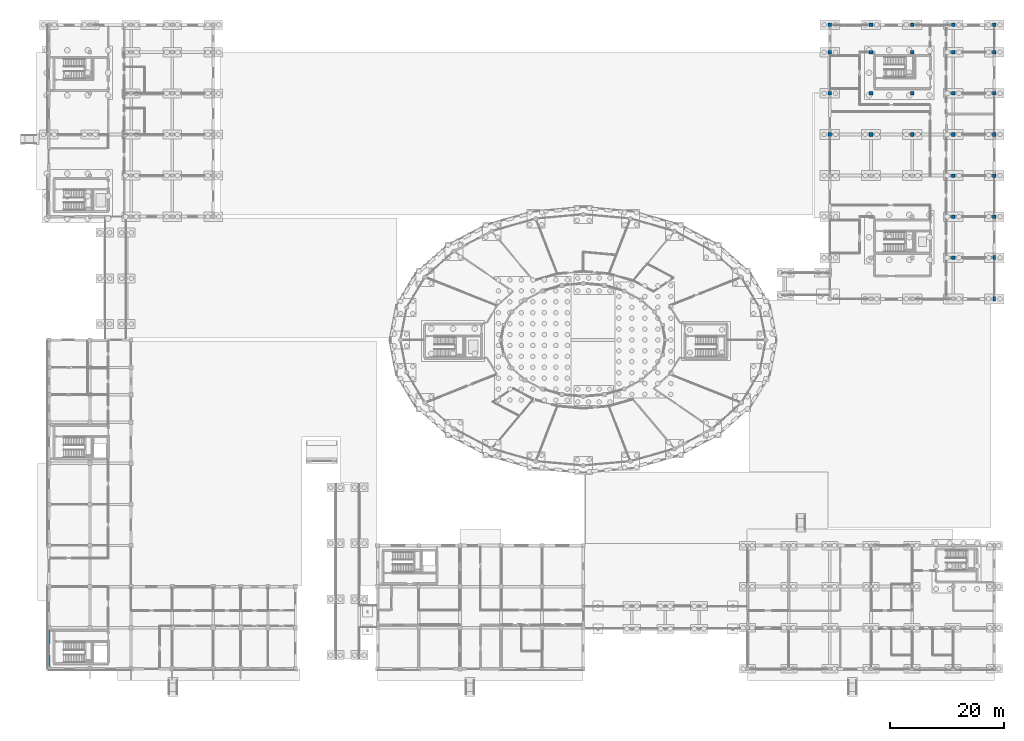
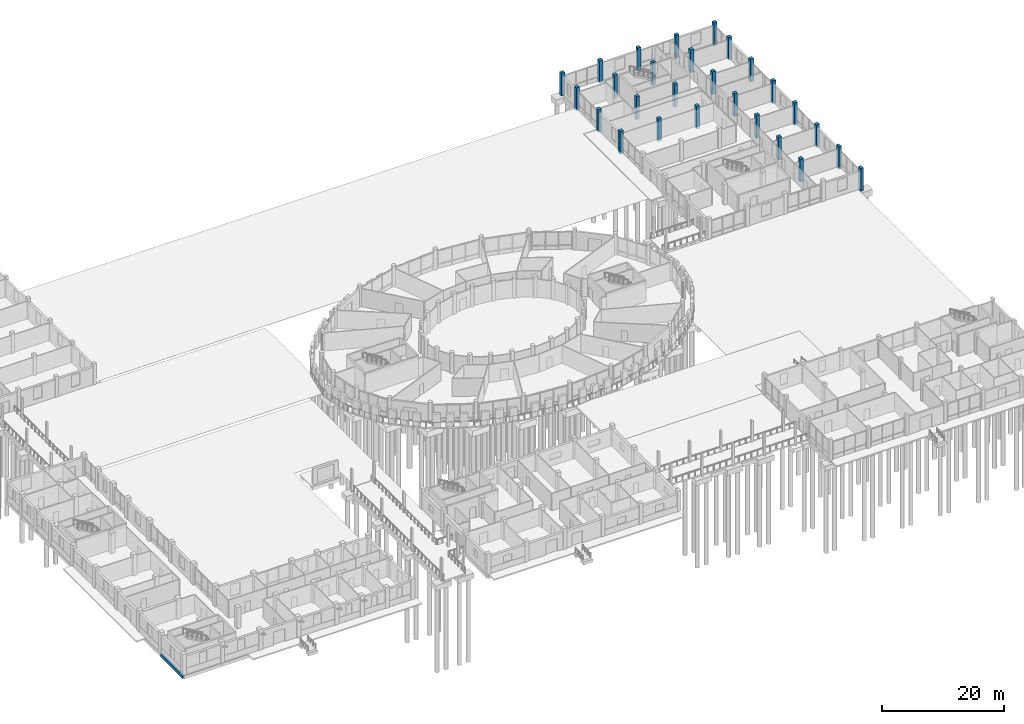
# One storey, part 16 of 98: 27 columns, 1 beam.
"""IFC4 building model written with IfcOpenShell, lengths in metres."""

from ifc_helpers import new_model, si_unit, direction, frame, origin, origin_2d, place, context, subcontext, project, spatial, rectangle, extrude, material, material_profile, profile_set, type_object, element, save


model = new_model("IFC4")

# Units and contexts
model_context = context("Model", 3, precision=1e-05, world=origin(), true_north=direction((0.0, 1.0)))
body_context = subcontext(model_context, "Body", "Model", "MODEL_VIEW")
ifc_project = project(units=[si_unit("LENGTHUNIT", "METRE"), si_unit("AREAUNIT", "SQUARE_METRE"), si_unit("VOLUMEUNIT", "CUBIC_METRE"), si_unit("PLANEANGLEUNIT", "RADIAN"), si_unit("MASSUNIT", "GRAM", prefix="KILO")], contexts=[model_context])

# Site, building, storey
site_placement = place(None, origin())
site = spatial("IfcSite", under=ifc_project, at=site_placement, CompositionType="ELEMENT")
building_placement = place(site_placement, origin())
building = spatial("IfcBuilding", under=site, at=building_placement, Name="Zornivar Specialist Clinic", CompositionType="ELEMENT")
storey_placement = place(building_placement, origin())
storey = spatial("IfcBuildingStorey", under=building, at=storey_placement, Name="L00", CompositionType="ELEMENT", Elevation=0.0)

# Columns
ifc_material_1 = material(Name="Concrete C35/45", Category="concrete")
ifc_material_profile_1 = material_profile(ifc_material_1, rectangle(XDim=0.47998046875, YDim=0.780029296875, at=origin_2d()), Name="RC 480x780")
ifc_profile_set_1 = profile_set([ifc_material_profile_1], Name="Concrete C35/45")
column_type_1 = type_object("IfcColumnType", Name="COL-RC-480x780", PredefinedType="PILASTER", material=ifc_profile_set_1)
for number, where, z_axis, x_axis, name in (
    (1, (165.60009765625, 64.800048828125, -0.3798828125), (0.0, 0.0, 1.0), (1.0, 0.0, 0.0), "col:V6:L00:1656_648"),
    (2, (165.60009765625, 72.0, -0.3798828125), (0.0, 0.0, 1.0), (1.0, 0.0, 0.0), "col:V6:L00:1656_720"),
):
    element("IfcColumn", number, at=place(storey_placement, frame(where, z_axis=z_axis, x_axis=x_axis)), inside=storey, type_object=column_type_1, Name=name, PredefinedType="PILASTER", context=body_context, shape_type="SweptSolid", body=[
        extrude(rectangle(XDim=0.47998046875, YDim=0.780029296875, at=origin_2d()), origin(), (0.0, 0.0, 1.0), 4.559814453125),
    ])
ifc_material_2 = material(Name="Concrete C35/45", Category="concrete")
ifc_material_profile_2 = material_profile(ifc_material_2, rectangle(XDim=0.639892578125, YDim=0.639892578125, at=origin_2d()), Name="RC 640x640")
ifc_profile_set_2 = profile_set([ifc_material_profile_2], Name="Concrete C35/45")
column_type_2 = type_object("IfcColumnType", Name="COL-RC-640", PredefinedType="COLUMN", material=ifc_profile_set_2)
for number, where, z_axis, x_axis, name in (
    (3, (136.800048828125, 93.60009765625, -0.3798828125), (0.0, 0.0, 1.0), (1.0, 0.0, 0.0), "col:V6:L00:1368_936"),
    (4, (136.800048828125, 100.800048828125, -0.3798828125), (0.0, 0.0, 1.0), (1.0, 0.0, 0.0), "col:V6:L00:1368_1008"),
    (5, (136.800048828125, 108.0, -0.3798828125), (0.0, 0.0, 1.0), (1.0, 0.0, 0.0), "col:V6:L00:1368_1080"),
    (6, (136.800048828125, 112.800048828125, -0.3798828125), (0.0, 0.0, 1.0), (1.0, 0.0, 0.0), "col:V6:L00:1368_1128"),
    (7, (144.0, 93.60009765625, -0.3798828125), (0.0, 0.0, 1.0), (1.0, 0.0, 0.0), "col:V6:L00:1440_936"),
    (8, (144.0, 100.800048828125, -0.3798828125), (0.0, 0.0, 1.0), (1.0, 0.0, 0.0), "col:V6:L00:1440_1008"),
    (9, (144.0, 108.0, -0.3798828125), (0.0, 0.0, 1.0), (1.0, 0.0, 0.0), "col:V6:L00:1440_1080"),
    (10, (144.0, 112.800048828125, -0.3798828125), (0.0, 0.0, 1.0), (1.0, 0.0, 0.0), "col:V6:L00:1440_1128"),
    (11, (151.199951171875, 93.60009765625, -0.3798828125), (0.0, 0.0, 1.0), (1.0, 0.0, 0.0), "col:V6:L00:1512_936"),
    (12, (151.199951171875, 100.800048828125, -0.3798828125), (0.0, 0.0, 1.0), (1.0, 0.0, 0.0), "col:V6:L00:1512_1008"),
    (13, (151.199951171875, 108.0, -0.3798828125), (0.0, 0.0, 1.0), (1.0, 0.0, 0.0), "col:V6:L00:1512_1080"),
    (14, (151.199951171875, 112.800048828125, -0.3798828125), (0.0, 0.0, 1.0), (1.0, 0.0, 0.0), "col:V6:L00:1512_1128"),
    (15, (158.39990234375, 72.0, -0.3798828125), (0.0, 0.0, 1.0), (1.0, 0.0, 0.0), "col:V6:L00:1584_720"),
    (16, (158.39990234375, 79.199951171875, -0.3798828125), (0.0, 0.0, 1.0), (1.0, 0.0, 0.0), "col:V6:L00:1584_792"),
    (17, (158.39990234375, 86.39990234375, -0.3798828125), (0.0, 0.0, 1.0), (1.0, 0.0, 0.0), "col:V6:L00:1584_864"),
    (18, (158.39990234375, 93.60009765625, -0.3798828125), (0.0, 0.0, 1.0), (1.0, 0.0, 0.0), "col:V6:L00:1584_936"),
    (19, (158.39990234375, 100.800048828125, -0.3798828125), (0.0, 0.0, 1.0), (1.0, 0.0, 0.0), "col:V6:L00:1584_1008"),
    (20, (158.39990234375, 108.0, -0.3798828125), (0.0, 0.0, 1.0), (1.0, 0.0, 0.0), "col:V6:L00:1584_1080"),
    (21, (158.39990234375, 112.800048828125, -0.3798828125), (0.0, 0.0, 1.0), (1.0, 0.0, 0.0), "col:V6:L00:1584_1128"),
    (22, (165.60009765625, 79.199951171875, -0.3798828125), (0.0, 0.0, 1.0), (1.0, 0.0, 0.0), "col:V6:L00:1656_792"),
    (23, (165.60009765625, 86.39990234375, -0.3798828125), (0.0, 0.0, 1.0), (1.0, 0.0, 0.0), "col:V6:L00:1656_864"),
    (24, (165.60009765625, 93.60009765625, -0.3798828125), (0.0, 0.0, 1.0), (1.0, 0.0, 0.0), "col:V6:L00:1656_936"),
    (25, (165.60009765625, 100.800048828125, -0.3798828125), (0.0, 0.0, 1.0), (1.0, 0.0, 0.0), "col:V6:L00:1656_1008"),
    (26, (165.60009765625, 108.0, -0.3798828125), (0.0, 0.0, 1.0), (1.0, 0.0, 0.0), "col:V6:L00:1656_1080"),
    (27, (165.60009765625, 112.800048828125, -0.3798828125), (0.0, 0.0, 1.0), (1.0, 0.0, 0.0), "col:V6:L00:1656_1128"),
):
    element("IfcColumn", number, at=place(storey_placement, frame(where, z_axis=z_axis, x_axis=x_axis)), inside=storey, type_object=column_type_2, Name=name, PredefinedType="COLUMN", context=body_context, shape_type="SweptSolid", body=[
        extrude(rectangle(XDim=0.639892578125, YDim=0.639892578125, at=origin_2d()), origin(), (0.0, 0.0, 1.0), 4.559814453125),
    ])

# Beam
ifc_material_3 = material(Name="Concrete C30/37", Category="concrete")
ifc_material_profile_3 = material_profile(ifc_material_3, rectangle(XDim=0.389892578125, YDim=0.60009765625, at=origin_2d()), Name="RC 390x600")
ifc_profile_set_3 = profile_set([ifc_material_profile_3], Name="Concrete C30/37")
beam_type = type_object("IfcBeamType", Name="BM-RC-SPANDREL-390x600", PredefinedType="SPANDREL", material=ifc_profile_set_3)
beam_placement = place(storey_placement, frame((0.0, 0.0, -0.580078125), z_axis=(0.0, 1.0, 0.0), x_axis=(-1.0, 0.0, 0.0)))
element("IfcBeam", 28, at=beam_placement, inside=storey, type_object=beam_type, Name="bm:V2:L00:y:0:0", PredefinedType="SPANDREL", context=body_context, shape_type="SweptSolid", body=[
    extrude(rectangle(XDim=0.389892578125, YDim=0.60009765625, at=origin_2d()), origin(), (0.0, 0.0, 1.0), 7.199951171875),
])

save(model, "model.ifc")
